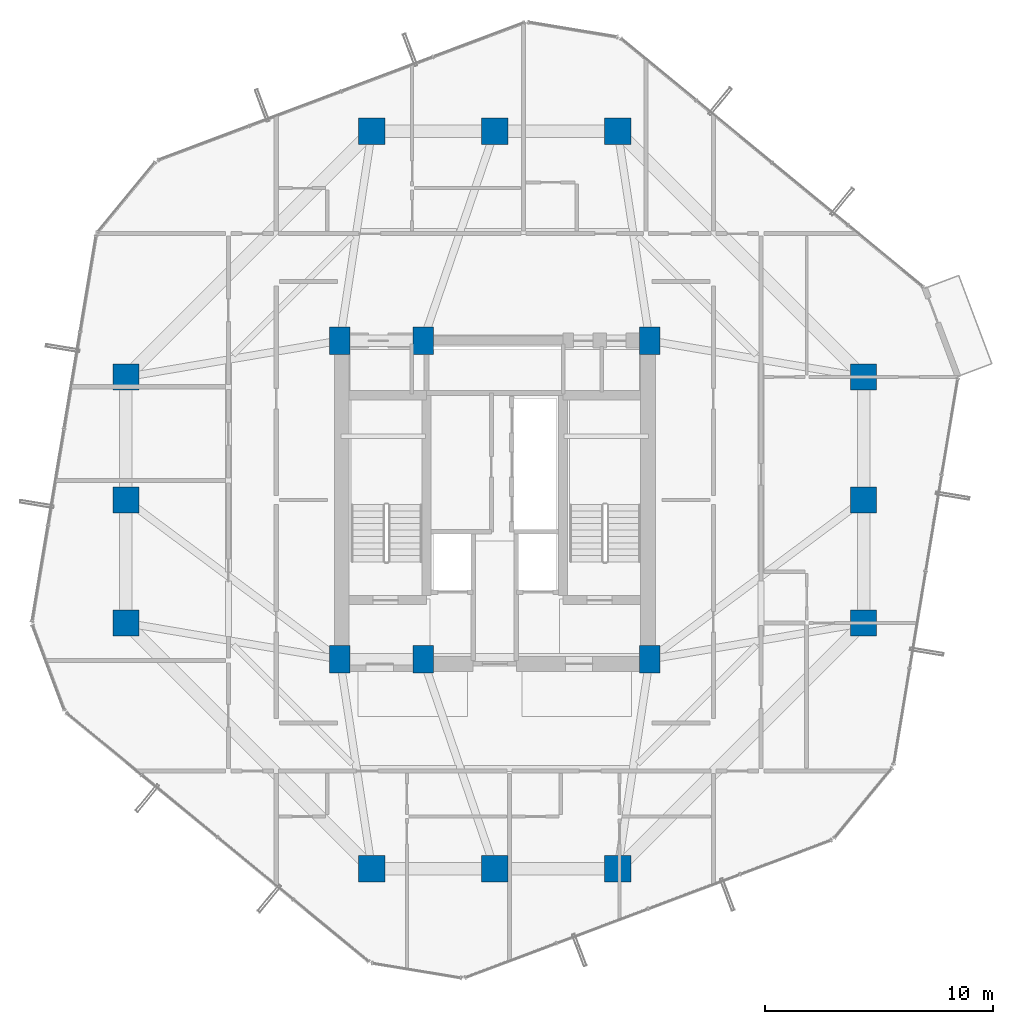
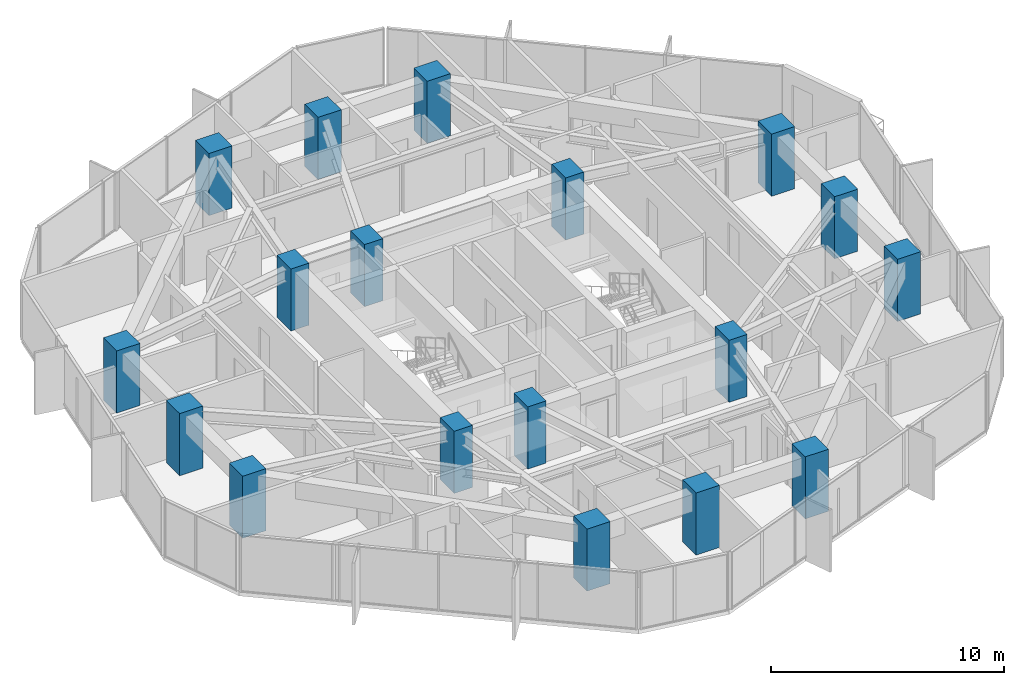
# One storey, part 1 of 30: 18 columns.
"""IFC4 building model written with IfcOpenShell, lengths in metres."""

from ifc_helpers import new_model, si_unit, direction, frame, origin, origin_2d, place, context, subcontext, project, spatial, rectangle, extrude, material, material_profile, profile_set, type_object, element, save


model = new_model("IFC4")

# Units and contexts
model_context = context("Model", 3, precision=1e-05, world=origin(), true_north=direction((0.0, 1.0)))
body_context = subcontext(model_context, "Body", "Model", "MODEL_VIEW")
ifc_project = project(units=[si_unit("LENGTHUNIT", "METRE"), si_unit("AREAUNIT", "SQUARE_METRE"), si_unit("VOLUMEUNIT", "CUBIC_METRE"), si_unit("PLANEANGLEUNIT", "RADIAN"), si_unit("MASSUNIT", "GRAM", prefix="KILO")], contexts=[model_context])

# Site, building, storey
site_placement = place(None, origin())
site = spatial("IfcSite", under=ifc_project, at=site_placement, CompositionType="ELEMENT")
building_placement = place(site_placement, origin())
building = spatial("IfcBuilding", under=site, at=building_placement, Name="Veraguas Prism Commons", CompositionType="ELEMENT")
storey_placement = place(building_placement, frame((0.0, 0.0, 95.949951171875)))
storey = spatial("IfcBuildingStorey", under=building, at=storey_placement, Name="L26", CompositionType="ELEMENT", Elevation=95.949951171875)

# Columns
ifc_material = material(Name="Concrete C60/75", Category="concrete")
ifc_material_profile_1 = material_profile(ifc_material, rectangle(XDim=1.14990234375, YDim=1.14990234375, at=origin_2d()), Name="RC1150X1150")
ifc_profile_set_1 = profile_set([ifc_material_profile_1], Name="Concrete C60/75")
column_type_1 = type_object("IfcColumnType", Name="Column Tube Z2 RC 1150x1150", PredefinedType="COLUMN", material=ifc_profile_set_1)
for number, where, z_axis, x_axis, name in (
    (1, (40.199951171875, 18.60009765625, 0.0), (0.0, 0.0, 1.0), (1.0, 0.0, 0.0), "Tower Perimeter Column L26-TB01"),
    (2, (40.199951171875, 24.0, 0.0), (0.0, 0.0, 1.0), (1.0, 0.0, 0.0), "Tower Perimeter Column L26-TB02"),
    (3, (40.199951171875, 29.39990234375, 0.0), (0.0, 0.0, 1.0), (1.0, 0.0, 0.0), "Tower Perimeter Column L26-TB03"),
    (4, (29.39990234375, 40.199951171875, 0.0), (0.0, 0.0, 1.0), (1.0, 0.0, 0.0), "Tower Perimeter Column L26-TB04"),
    (5, (24.0, 40.199951171875, 0.0), (0.0, 0.0, 1.0), (1.0, 0.0, 0.0), "Tower Perimeter Column L26-TB05"),
    (6, (18.60009765625, 40.199951171875, 0.0), (0.0, 0.0, 1.0), (1.0, 0.0, 0.0), "Tower Perimeter Column L26-TB06"),
    (7, (7.800048828125, 29.39990234375, 0.0), (0.0, 0.0, 1.0), (1.0, 0.0, 0.0), "Tower Perimeter Column L26-TB07"),
    (8, (7.800048828125, 24.0, 0.0), (0.0, 0.0, 1.0), (1.0, 0.0, 0.0), "Tower Perimeter Column L26-TB08"),
    (9, (7.800048828125, 18.60009765625, 0.0), (0.0, 0.0, 1.0), (1.0, 0.0, 0.0), "Tower Perimeter Column L26-TB09"),
    (10, (18.60009765625, 7.800048828125, 0.0), (0.0, 0.0, 1.0), (1.0, 0.0, 0.0), "Tower Perimeter Column L26-TB10"),
    (11, (24.0, 7.800048828125, 0.0), (0.0, 0.0, 1.0), (1.0, 0.0, 0.0), "Tower Perimeter Column L26-TB11"),
    (12, (29.39990234375, 7.800048828125, 0.0), (0.0, 0.0, 1.0), (1.0, 0.0, 0.0), "Tower Perimeter Column L26-TB12"),
):
    element("IfcColumn", number, at=place(storey_placement, frame(where, z_axis=z_axis, x_axis=x_axis)), inside=storey, type_object=column_type_1, Name=name, PredefinedType="COLUMN", context=body_context, shape_type="SweptSolid", body=[
        extrude(rectangle(XDim=1.14990234375, YDim=1.14990234375, at=origin_2d()), origin(), (0.0, 0.0, 1.0), 3.25),
    ])
ifc_material_profile_2 = material_profile(ifc_material, rectangle(XDim=0.89990234375, YDim=1.199951171875, at=origin_2d()), Name="RC900X1200")
ifc_profile_set_2 = profile_set([ifc_material_profile_2], Name="Concrete C60/75")
column_type_2 = type_object("IfcColumnType", Name="Pilaster Core Lower RC 900x1200", PredefinedType="PILASTER", material=ifc_profile_set_2)
for number, where, z_axis, x_axis, name in (
    (13, (17.199951171875, 17.0, 0.0), (0.0, 0.0, 1.0), (1.0, 0.0, 0.0), "Core Pilaster Column L26-CR1"),
    (14, (20.85009765625, 17.0, 0.0), (0.0, 0.0, 1.0), (1.0, 0.0, 0.0), "Core Pilaster Column L26-CR2"),
    (15, (30.800048828125, 17.0, 0.0), (0.0, 0.0, 1.0), (1.0, 0.0, 0.0), "Core Pilaster Column L26-CR3"),
    (16, (17.199951171875, 31.0, 0.0), (0.0, 0.0, 1.0), (1.0, 0.0, 0.0), "Core Pilaster Column L26-CR4"),
    (17, (20.85009765625, 31.0, 0.0), (0.0, 0.0, 1.0), (1.0, 0.0, 0.0), "Core Pilaster Column L26-CR5"),
    (18, (30.800048828125, 31.0, 0.0), (0.0, 0.0, 1.0), (1.0, 0.0, 0.0), "Core Pilaster Column L26-CR6"),
):
    element("IfcColumn", number, at=place(storey_placement, frame(where, z_axis=z_axis, x_axis=x_axis)), inside=storey, type_object=column_type_2, Name=name, PredefinedType="PILASTER", context=body_context, shape_type="SweptSolid", body=[
        extrude(rectangle(XDim=0.89990234375, YDim=1.199951171875, at=origin_2d()), origin(), (0.0, 0.0, 1.0), 3.25),
    ])

save(model, "model.ifc")
